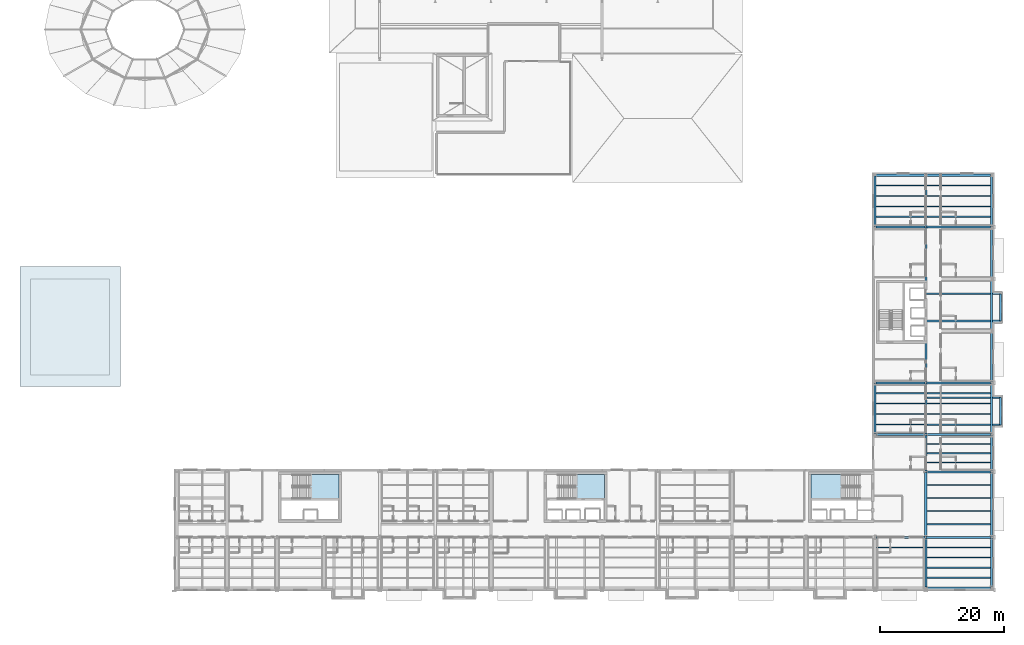
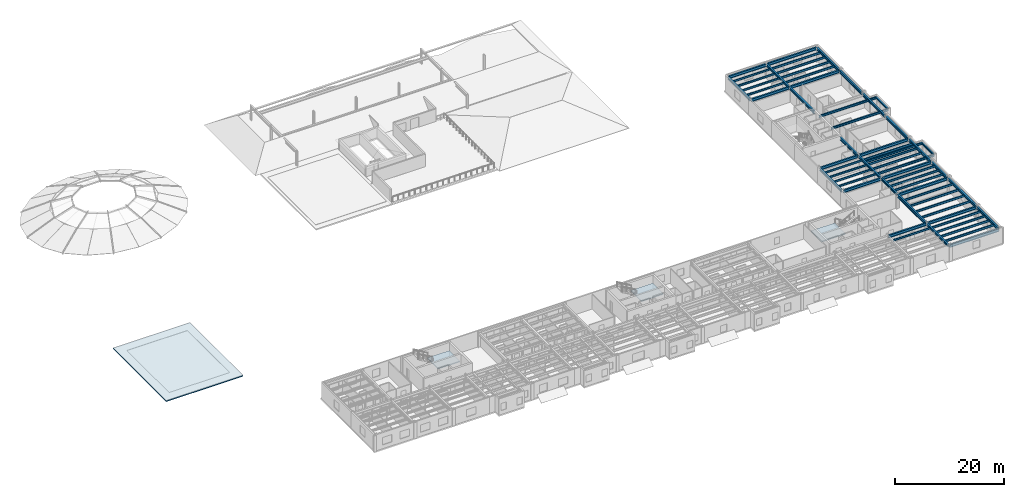
# One storey, part 9 of 34: 62 beams, 4 slabs, 3 elements without a shape of their own.
"""IFC4 building model written with IfcOpenShell, lengths in metres."""

import ifcopenshell
import ifcopenshell.guid

model = None  # the IFC model being written
_history = None  # IfcOwnerHistory: only IFC2X3 demands one
_inside = {}  # id of a spatial element -> (the spatial element, [elements in it])
_under = {}  # id of a project, library or spatial element -> (it, [spatial elements below it])
_declared = {}  # id of a project -> (the project, [libraries it declares])
_typed = {}  # id of a type object -> (the type object, [elements of that type])
_made_of = {}  # id of a material, layer set ... -> (it, [elements and type objects made of it])


def new_model(schema):
    """Start an empty IFC model of exactly this schema.

    Asked for "IFC4X3", IfcOpenShell would pick the latest addendum, in which some entities
    have other attributes; the version numbers below select the first issue.
    IFC2X3 requires an IfcOwnerHistory on every rooted entity: one is made here for all.
    """
    global model, _history
    if schema == "IFC4X3":
        model = ifcopenshell.file(schema_version=(4, 3, 0, 0))
    else:
        model = ifcopenshell.file(schema=schema)
    _inside.clear()
    _under.clear()
    _declared.clear()
    _typed.clear()
    _made_of.clear()
    _history = None
    if model.schema == "IFC2X3":
        org = make("IfcOrganization", Name="unknown")
        user = make(
            "IfcPersonAndOrganization",
            ThePerson=make("IfcPerson", FamilyName="unknown"),
            TheOrganization=org,
        )
        app = make(
            "IfcApplication",
            ApplicationDeveloper=org,
            Version="unknown",
            ApplicationFullName="unknown",
            ApplicationIdentifier="unknown",
        )
        _history = make(
            "IfcOwnerHistory",
            OwningUser=user,
            OwningApplication=app,
            ChangeAction="ADDED",
            CreationDate=0,
        )
    return model


def make(cls, **values):
    """One entity of the class cls with the attributes given. An attribute that is None is left unset."""
    return model.create_entity(
        cls, **{name: value for name, value in values.items() if value is not None}
    )


def rooted(cls, **values):
    """An entity with a GlobalId (a new one), such as an element, a storey or a relation."""
    return make(cls, GlobalId=ifcopenshell.guid.new(), OwnerHistory=_history, **values)


def si_unit(unit_type, name, prefix=None):
    """IfcSIUnit, for example si_unit("LENGTHUNIT", "METRE", prefix="MILLI")."""
    return make("IfcSIUnit", UnitType=unit_type, Prefix=prefix, Name=name)


def assignment(units):
    """IfcUnitAssignment: the units of a project."""
    return None if units is None else make("IfcUnitAssignment", Units=units)


def point(xyz):
    """IfcCartesianPoint."""
    return None if xyz is None else make("IfcCartesianPoint", Coordinates=xyz)


def direction(xyz):
    """IfcDirection."""
    return None if xyz is None else make("IfcDirection", DirectionRatios=xyz)


def frame(location, z_axis=None, x_axis=None):
    """IfcAxis2Placement3D, a coordinate frame: its origin and axes. An axis left out is left unset."""
    return make(
        "IfcAxis2Placement3D",
        Location=point(location),
        Axis=direction(z_axis),
        RefDirection=direction(x_axis),
    )


def frame_2d(location, x_axis=None):
    """IfcAxis2Placement2D, a coordinate frame in the plane: its origin and x axis."""
    return make(
        "IfcAxis2Placement2D", Location=point(location), RefDirection=direction(x_axis)
    )


def origin():
    """The frame at (0, 0, 0) with its axes left unset."""
    return frame((0.0, 0.0, 0.0))


def origin_2d():
    """The frame at (0, 0) in the plane with its x axis left unset."""
    return frame_2d((0.0, 0.0))


def place(relative_to, where):
    """IfcLocalPlacement: puts the frame where relative to a parent placement (None: the world)."""
    return make(
        "IfcLocalPlacement", PlacementRelTo=relative_to, RelativePlacement=where
    )


def context(
    kind, dimensions, precision=None, world=None, true_north=None, identifier=None
):
    """IfcGeometricRepresentationContext, for example the 3D "Model" context."""
    return make(
        "IfcGeometricRepresentationContext",
        ContextIdentifier=identifier,
        ContextType=kind,
        CoordinateSpaceDimension=dimensions,
        Precision=precision,
        WorldCoordinateSystem=world,
        TrueNorth=true_north,
    )


def subcontext(parent, identifier, kind, view, scale=None):
    """IfcGeometricRepresentationSubContext, for example "Body" below "Model"."""
    return make(
        "IfcGeometricRepresentationSubContext",
        ContextIdentifier=identifier,
        ContextType=kind,
        ParentContext=parent,
        TargetScale=scale,
        TargetView=view,
    )


def project(units=None, contexts=None):
    """IfcProject with its units and contexts."""
    return rooted(
        "IfcProject",
        Name="project",
        RepresentationContexts=contexts,
        UnitsInContext=assignment(units),
    )


def spatial(cls, under=None, at=None, **own):
    """A site, building, storey or space (cls), placed at a placement, below another one or the project."""
    s = rooted(cls, ObjectPlacement=at, **own)
    if under is not None:
        _under.setdefault(under.id(), (under, []))[1].append(s)
    return s


def polyline(points):
    """IfcPolyline through the points."""
    return make("IfcPolyline", Points=[point(p) for p in points])


def profile(cls, at=None, kind="AREA", **sizes):
    """A parametric profile (cls). Its sizes go by their IFC names, for example OverallWidth=200.0."""
    return make(cls, ProfileType=kind, Position=at, **sizes)


def i_section(**sizes):
    """IfcIShapeProfileDef."""
    return profile("IfcIShapeProfileDef", **sizes)


def outline(outer, holes=None, kind="AREA"):
    """IfcArbitraryClosedProfileDef: a profile drawn as a closed curve; with holes, ...WithVoids."""
    if holes is None:
        return make("IfcArbitraryClosedProfileDef", ProfileType=kind, OuterCurve=outer)
    return make(
        "IfcArbitraryProfileDefWithVoids",
        ProfileType=kind,
        OuterCurve=outer,
        InnerCurves=holes,
    )


def extrude(swept, where, along, depth):
    """IfcExtrudedAreaSolid: the profile swept, set in the frame where, extruded along a direction by depth."""
    return make(
        "IfcExtrudedAreaSolid",
        SweptArea=swept,
        Position=where,
        ExtrudedDirection=direction(along),
        Depth=depth,
    )


def shape(context_of_items, identifier, shape_type, items):
    """IfcShapeRepresentation: the items that make up one representation, for example the "Body"."""
    return make(
        "IfcShapeRepresentation",
        ContextOfItems=context_of_items,
        RepresentationIdentifier=identifier,
        RepresentationType=shape_type,
        Items=items,
    )


def material(Name=None, Category=None):
    """IfcMaterial."""
    return make("IfcMaterial", Name=Name, Category=Category)


def layer(
    of_material, thickness, ventilated=None, Name=None, Category=None, Priority=None
):
    """IfcMaterialLayer: one layer of a wall or slab, of a material (None: an air gap)."""
    return make(
        "IfcMaterialLayer",
        Material=of_material,
        LayerThickness=thickness,
        IsVentilated=ventilated,
        Name=Name,
        Category=Category,
        Priority=Priority,
    )


def layer_set(layers, Name=None):
    """IfcMaterialLayerSet."""
    return make("IfcMaterialLayerSet", MaterialLayers=layers, LayerSetName=Name)


def material_profile(
    of_material, cross_section, Name=None, Category=None, Priority=None
):
    """IfcMaterialProfile: a cross section and its material."""
    return make(
        "IfcMaterialProfile",
        Name=Name,
        Material=of_material,
        Profile=cross_section,
        Priority=Priority,
        Category=Category,
    )


def profile_set(profiles, Name=None, composite=None):
    """IfcMaterialProfileSet."""
    return make(
        "IfcMaterialProfileSet",
        Name=Name,
        MaterialProfiles=profiles,
        CompositeProfile=composite,
    )


def made_of(thing, what):
    """Note that an element or type object is made of a material, layer set ...; save() writes the relation."""
    if what is not None:
        _made_of.setdefault(what.id(), (what, []))[1].append(thing)
    return thing


def type_object(cls, material=None, **own):
    """A type object (cls), such as IfcWallType, which elements share."""
    return made_of(rooted(cls, **own), material)


def element(
    cls,
    number,
    at=None,
    inside=None,
    cuts=None,
    type_object=None,
    material=None,
    context=None,
    identifier="Body",
    shape_type=None,
    held_by="IfcProductDefinitionShape",
    body=None,
    shapes=None,
    **own,
):
    """One element of the class cls, such as IfcWall. Its Tag is "e" and its number.

    at: its placement. inside: the storey or other place that contains it. cuts: it is an
    opening in that element (IfcRelVoidsElement). A single representation is given by context,
    identifier, shape_type and body (its items); several are given by shapes. held_by: the class
    of the entity that holds the representations. save() writes the other relations.
    """
    e = rooted(cls, Tag="e%d" % number, ObjectPlacement=at, **own)
    if body is not None:
        shapes = [shape(context, identifier, shape_type, body)]
    if shapes is not None:
        e.Representation = make(held_by, Representations=shapes)
    if inside is not None:
        _inside.setdefault(inside.id(), (inside, []))[1].append(e)
    if cuts is not None:
        rooted(
            "IfcRelVoidsElement", RelatingBuildingElement=cuts, RelatedOpeningElement=e
        )
    if type_object is not None:
        _typed.setdefault(type_object.id(), (type_object, []))[1].append(e)
    return made_of(e, material)


def aggregate(whole, parts):
    """IfcRelAggregates: a whole, such as a stair, and the parts it consists of."""
    return rooted("IfcRelAggregates", RelatingObject=whole, RelatedObjects=parts)


def save(model, path):
    """Write the relations noted so far, then the file.

    IfcRelAggregates (storeys below a building ...), IfcRelContainedInSpatialStructure (elements
    in a storey), IfcRelDefinesByType, IfcRelAssociatesMaterial and IfcRelDeclares: one each for
    every whole, place, type object, material and project.
    """
    for whole, parts in _under.values():
        aggregate(whole, parts)
    for where, things in _inside.values():
        rooted(
            "IfcRelContainedInSpatialStructure",
            RelatedElements=things,
            RelatingStructure=where,
        )
    for kind, things in _typed.values():
        rooted("IfcRelDefinesByType", RelatedObjects=things, RelatingType=kind)
    for what, things in _made_of.values():
        rooted("IfcRelAssociatesMaterial", RelatedObjects=things, RelatingMaterial=what)
    for by, libraries in _declared.values():
        rooted("IfcRelDeclares", RelatingContext=by, RelatedDefinitions=libraries)
    model.write(path)


model = new_model("IFC4")

# Units and contexts
model_context = context("Model", 3, precision=1e-05, world=origin(), true_north=direction((0.0, 1.0)))
body_context = subcontext(model_context, "Body", "Model", "MODEL_VIEW")
ifc_project = project(units=[si_unit("LENGTHUNIT", "METRE"), si_unit("AREAUNIT", "SQUARE_METRE"), si_unit("VOLUMEUNIT", "CUBIC_METRE"), si_unit("PLANEANGLEUNIT", "RADIAN"), si_unit("MASSUNIT", "GRAM", prefix="KILO")], contexts=[model_context])

# Site, building, storey
site_placement = place(None, origin())
site = spatial("IfcSite", under=ifc_project, at=site_placement, CompositionType="ELEMENT")
building_placement = place(site_placement, origin())
building = spatial("IfcBuilding", under=site, at=building_placement, Name="Sollismere Congress Hotel", CompositionType="ELEMENT")
storey_placement = place(building_placement, frame((0.0, 0.0, 23.39990234375)))
storey = spatial("IfcBuildingStorey", under=building, at=storey_placement, Name="L05", CompositionType="ELEMENT", Elevation=23.39990234375)

# Beams
ifc_material_1 = material(Name="Steel ASTM A992 Grade 50", Category="steel")
ifc_material_profile_1 = material_profile(ifc_material_1, i_section(OverallWidth=0.281982421875, OverallDepth=0.471923828125, WebThickness=0.013671875, FlangeThickness=0.022216796875, at=origin_2d()), Name="W18X97")
ifc_profile_set_1 = profile_set([ifc_material_profile_1], Name="Steel ASTM A992 Grade 50")
beam_type_1 = type_object("IfcBeamType", Name="BM-CK18E", PredefinedType="BEAM", material=ifc_profile_set_1)
for number, where, z_axis, x_axis, name in (
    (1, (155.39990234375, 26.39990234375, 3.089111328125), (1.0, 0.0, 0.0), (0.0, 1.0, 0.0), "Beam BM-L05-3964"),
    (2, (155.39990234375, 30.800048828125, 3.089111328125), (1.0, 0.0, 0.0), (0.0, 1.0, 0.0), "Beam BM-L05-3965"),
    (3, (155.39990234375, 43.199951171875, 3.089111328125), (1.0, 0.0, 0.0), (0.0, 1.0, 0.0), "Beam BM-L05-3967"),
    (4, (155.39990234375, 47.60009765625, 3.089111328125), (1.0, 0.0, 0.0), (0.0, 1.0, 0.0), "Beam BM-L05-3968"),
):
    element("IfcBeam", number, at=place(storey_placement, frame(where, z_axis=z_axis, x_axis=x_axis)), inside=storey, type_object=beam_type_1, Name=name, PredefinedType="BEAM", context=body_context, shape_type="SweptSolid", body=[
        extrude(i_section(OverallWidth=0.281982421875, OverallDepth=0.471923828125, WebThickness=0.013671875, FlangeThickness=0.022216796875, at=origin_2d()), origin(), (0.0, 0.0, 1.0), 12.090087890625),
    ])
ifc_material_profile_2 = material_profile(ifc_material_1, i_section(OverallWidth=0.31494140625, OverallDepth=0.551025390625, WebThickness=0.01513671875, FlangeThickness=0.0244140625, at=origin_2d()), Name="W21X122")
ifc_profile_set_2 = profile_set([ifc_material_profile_2], Name="Steel ASTM A992 Grade 50")
beam_type_2 = type_object("IfcBeamType", Name="BM-G21H", PredefinedType="BEAM", material=ifc_profile_set_2)
beam_1_placement = place(storey_placement, frame((147.199951171875, 24.93994140625, 3.049560546875), z_axis=(0.0, 1.0, 0.0), x_axis=(-1.0, 0.0, 0.0)))
element("IfcBeam", 5, at=beam_1_placement, inside=storey, type_object=beam_type_2, Name="Beam BM-L05-2994", PredefinedType="BEAM", context=body_context, shape_type="SweptSolid", body=[
    extrude(i_section(OverallWidth=0.31494140625, OverallDepth=0.551025390625, WebThickness=0.01513671875, FlangeThickness=0.0244140625, at=origin_2d()), origin(), (0.0, 0.0, 1.0), 8.1201171875),
])
beam_2_placement = place(storey_placement, frame((147.199951171875, 58.5400390625, 3.049560546875), z_axis=(0.0, 1.0, 0.0), x_axis=(-1.0, 0.0, 0.0)))
element("IfcBeam", 6, at=beam_2_placement, inside=storey, type_object=beam_type_2, Name="Beam BM-L05-2995", PredefinedType="BEAM", context=body_context, shape_type="SweptSolid", body=[
    extrude(i_section(OverallWidth=0.31494140625, OverallDepth=0.551025390625, WebThickness=0.01513671875, FlangeThickness=0.0244140625, at=origin_2d()), origin(), (0.0, 0.0, 1.0), 8.119873046875),
])
beam_3_placement = place(storey_placement, frame((155.39990234375, 0.139892578125, 3.049560546875), z_axis=(0.0, 1.0, 0.0), x_axis=(-1.0, 0.0, 0.0)))
element("IfcBeam", 7, at=beam_3_placement, inside=storey, type_object=beam_type_2, Name="Beam BM-L05-2996", PredefinedType="BEAM", context=body_context, shape_type="SweptSolid", body=[
    extrude(i_section(OverallWidth=0.31494140625, OverallDepth=0.551025390625, WebThickness=0.01513671875, FlangeThickness=0.0244140625, at=origin_2d()), origin(), (0.0, 0.0, 1.0), 7.920166015625),
])
beam_4_placement = place(storey_placement, frame((155.39990234375, 18.93994140625, 3.049560546875), z_axis=(0.0, 1.0, 0.0), x_axis=(-1.0, 0.0, 0.0)))
element("IfcBeam", 8, at=beam_4_placement, inside=storey, type_object=beam_type_2, Name="Beam BM-L05-2998", PredefinedType="BEAM", context=body_context, shape_type="SweptSolid", body=[
    extrude(i_section(OverallWidth=0.31494140625, OverallDepth=0.551025390625, WebThickness=0.01513671875, FlangeThickness=0.0244140625, at=origin_2d()), origin(), (0.0, 0.0, 1.0), 5.719970703125),
])
beam_5_placement = place(storey_placement, frame((155.39990234375, 24.93994140625, 3.049560546875), z_axis=(0.0, 1.0, 0.0), x_axis=(-1.0, 0.0, 0.0)))
element("IfcBeam", 9, at=beam_5_placement, inside=storey, type_object=beam_type_2, Name="Beam BM-L05-2999", PredefinedType="BEAM", context=body_context, shape_type="SweptSolid", body=[
    extrude(i_section(OverallWidth=0.31494140625, OverallDepth=0.551025390625, WebThickness=0.01513671875, FlangeThickness=0.0244140625, at=origin_2d()), origin(), (0.0, 0.0, 1.0), 8.1201171875),
])
beam_6_placement = place(storey_placement, frame((155.39990234375, 58.5400390625, 3.049560546875), z_axis=(0.0, 1.0, 0.0), x_axis=(-1.0, 0.0, 0.0)))
element("IfcBeam", 10, at=beam_6_placement, inside=storey, type_object=beam_type_2, Name="Beam BM-L05-3000", PredefinedType="BEAM", context=body_context, shape_type="SweptSolid", body=[
    extrude(i_section(OverallWidth=0.31494140625, OverallDepth=0.551025390625, WebThickness=0.01513671875, FlangeThickness=0.0244140625, at=origin_2d()), origin(), (0.0, 0.0, 1.0), 8.119873046875),
])
ifc_material_profile_3 = material_profile(ifc_material_1, i_section(OverallWidth=0.324951171875, OverallDepth=0.612060546875, WebThickness=0.0126953125, FlangeThickness=0.01904296875, at=origin_2d()), Name="W24X104")
ifc_profile_set_3 = profile_set([ifc_material_profile_3], Name="Steel ASTM A992 Grade 50")
beam_type_3 = type_object("IfcBeamType", Name="BM-G24", PredefinedType="BEAM", material=ifc_profile_set_3)
beam_7_placement = place(storey_placement, frame((147.340087890625, 8.199951171875, 3.01904296875), z_axis=(1.0, 0.0, 0.0), x_axis=(0.0, 1.0, 0.0)))
element("IfcBeam", 11, at=beam_7_placement, inside=storey, type_object=beam_type_3, Name="Beam BM-L05-2959", PredefinedType="BEAM", context=body_context, shape_type="SweptSolid", body=[
    extrude(i_section(OverallWidth=0.324951171875, OverallDepth=0.612060546875, WebThickness=0.0126953125, FlangeThickness=0.01904296875, at=origin_2d()), origin(), (0.0, 0.0, 1.0), 7.919921875),
])
for number, where, z_axis, x_axis, name in (
    (12, (155.5400390625, 8.199951171875, 3.01904296875), (1.0, 0.0, 0.0), (0.0, 1.0, 0.0), "Beam BM-L05-2960"),
    (13, (155.5400390625, 18.800048828125, 3.01904296875), (1.0, 0.0, 0.0), (0.0, 1.0, 0.0), "Beam BM-L05-2965"),
):
    element("IfcBeam", number, at=place(storey_placement, frame(where, z_axis=z_axis, x_axis=x_axis)), inside=storey, type_object=beam_type_3, Name=name, PredefinedType="BEAM", context=body_context, shape_type="SweptSolid", body=[
        extrude(i_section(OverallWidth=0.324951171875, OverallDepth=0.612060546875, WebThickness=0.0126953125, FlangeThickness=0.01904296875, at=origin_2d()), origin(), (0.0, 0.0, 1.0), 10.320068359375),
    ])
beam_8_placement = place(storey_placement, frame((147.340087890625, 24.800048828125, 3.01904296875), z_axis=(1.0, 0.0, 0.0), x_axis=(0.0, 1.0, 0.0)))
element("IfcBeam", 14, at=beam_8_placement, inside=storey, type_object=beam_type_3, Name="Beam BM-L05-2966", PredefinedType="BEAM", context=body_context, shape_type="SweptSolid", body=[
    extrude(i_section(OverallWidth=0.324951171875, OverallDepth=0.612060546875, WebThickness=0.0126953125, FlangeThickness=0.01904296875, at=origin_2d()), origin(), (0.0, 0.0, 1.0), 7.919921875),
])
beam_9_placement = place(storey_placement, frame((155.5400390625, 24.800048828125, 3.01904296875), z_axis=(1.0, 0.0, 0.0), x_axis=(0.0, 1.0, 0.0)))
element("IfcBeam", 15, at=beam_9_placement, inside=storey, type_object=beam_type_3, Name="Beam BM-L05-2967", PredefinedType="BEAM", context=body_context, shape_type="SweptSolid", body=[
    extrude(i_section(OverallWidth=0.324951171875, OverallDepth=0.612060546875, WebThickness=0.0126953125, FlangeThickness=0.01904296875, at=origin_2d()), origin(), (0.0, 0.0, 1.0), 10.320068359375),
])
beam_10_placement = place(storey_placement, frame((147.340087890625, 33.199951171875, 3.01904296875), z_axis=(1.0, 0.0, 0.0), x_axis=(0.0, 1.0, 0.0)))
element("IfcBeam", 16, at=beam_10_placement, inside=storey, type_object=beam_type_3, Name="Beam BM-L05-2968", PredefinedType="BEAM", context=body_context, shape_type="SweptSolid", body=[
    extrude(i_section(OverallWidth=0.324951171875, OverallDepth=0.612060546875, WebThickness=0.0126953125, FlangeThickness=0.01904296875, at=origin_2d()), origin(), (0.0, 0.0, 1.0), 7.919921875),
])
beam_11_placement = place(storey_placement, frame((155.5400390625, 33.199951171875, 3.01904296875), z_axis=(1.0, 0.0, 0.0), x_axis=(0.0, 1.0, 0.0)))
element("IfcBeam", 17, at=beam_11_placement, inside=storey, type_object=beam_type_3, Name="Beam BM-L05-2969", PredefinedType="BEAM", context=body_context, shape_type="SweptSolid", body=[
    extrude(i_section(OverallWidth=0.324951171875, OverallDepth=0.612060546875, WebThickness=0.0126953125, FlangeThickness=0.01904296875, at=origin_2d()), origin(), (0.0, 0.0, 1.0), 10.320068359375),
])
beam_12_placement = place(storey_placement, frame((147.3310546875, 58.39990234375, 3.01904296875), z_axis=(1.0, 0.0, 0.0), x_axis=(0.0, 1.0, 0.0)))
element("IfcBeam", 18, at=beam_12_placement, inside=storey, type_object=beam_type_3, Name="Beam BM-L05-2970", PredefinedType="BEAM", context=body_context, shape_type="SweptSolid", body=[
    extrude(i_section(OverallWidth=0.324951171875, OverallDepth=0.612060546875, WebThickness=0.0126953125, FlangeThickness=0.01904296875, at=origin_2d()), origin(), (0.0, 0.0, 1.0), 7.93798828125),
])
beam_13_placement = place(storey_placement, frame((155.531005859375, 58.39990234375, 3.01904296875), z_axis=(1.0, 0.0, 0.0), x_axis=(0.0, 1.0, 0.0)))
element("IfcBeam", 19, at=beam_13_placement, inside=storey, type_object=beam_type_3, Name="Beam BM-L05-2971", PredefinedType="BEAM", context=body_context, shape_type="SweptSolid", body=[
    extrude(i_section(OverallWidth=0.324951171875, OverallDepth=0.612060546875, WebThickness=0.0126953125, FlangeThickness=0.01904296875, at=origin_2d()), origin(), (0.0, 0.0, 1.0), 10.337890625),
])
beam_14_placement = place(storey_placement, frame((147.3310546875, 66.800048828125, 3.01904296875), z_axis=(1.0, 0.0, 0.0), x_axis=(0.0, 1.0, 0.0)))
element("IfcBeam", 20, at=beam_14_placement, inside=storey, type_object=beam_type_3, Name="Beam BM-L05-2972", PredefinedType="BEAM", context=body_context, shape_type="SweptSolid", body=[
    extrude(i_section(OverallWidth=0.324951171875, OverallDepth=0.612060546875, WebThickness=0.0126953125, FlangeThickness=0.01904296875, at=origin_2d()), origin(), (0.0, 0.0, 1.0), 7.93798828125),
])
beam_15_placement = place(storey_placement, frame((155.531005859375, 66.800048828125, 3.01904296875), z_axis=(1.0, 0.0, 0.0), x_axis=(0.0, 1.0, 0.0)))
element("IfcBeam", 21, at=beam_15_placement, inside=storey, type_object=beam_type_3, Name="Beam BM-L05-2973", PredefinedType="BEAM", context=body_context, shape_type="SweptSolid", body=[
    extrude(i_section(OverallWidth=0.324951171875, OverallDepth=0.612060546875, WebThickness=0.0126953125, FlangeThickness=0.01904296875, at=origin_2d()), origin(), (0.0, 0.0, 1.0), 10.337890625),
])
ifc_material_profile_4 = material_profile(ifc_material_1, i_section(OverallWidth=0.330078125, OverallDepth=0.635009765625, WebThickness=0.017822265625, FlangeThickness=0.031005859375, at=origin_2d()), Name="W24X162")
ifc_profile_set_4 = profile_set([ifc_material_profile_4], Name="Steel ASTM A992 Grade 50")
beam_type_4 = type_object("IfcBeamType", Name="BM-G24H", PredefinedType="BEAM", material=ifc_profile_set_4)
beam_16_placement = place(storey_placement, frame((155.39990234375, 33.320068359375, 3.007568359375), z_axis=(0.0, 1.0, 0.0), x_axis=(-1.0, 0.0, 0.0)))
element("IfcBeam", 22, at=beam_16_placement, inside=storey, type_object=beam_type_4, Name="Beam BM-L05-3947", PredefinedType="BEAM", context=body_context, shape_type="SweptSolid", body=[
    extrude(i_section(OverallWidth=0.330078125, OverallDepth=0.635009765625, WebThickness=0.017822265625, FlangeThickness=0.031005859375, at=origin_2d()), origin(), (0.0, 0.0, 1.0), 6.530029296875),
])
beam_17_placement = place(storey_placement, frame((155.39990234375, 49.25, 3.007568359375), z_axis=(0.0, 1.0, 0.0), x_axis=(-1.0, 0.0, 0.0)))
element("IfcBeam", 23, at=beam_17_placement, inside=storey, type_object=beam_type_4, Name="Beam BM-L05-3948", PredefinedType="BEAM", context=body_context, shape_type="SweptSolid", body=[
    extrude(i_section(OverallWidth=0.330078125, OverallDepth=0.635009765625, WebThickness=0.017822265625, FlangeThickness=0.031005859375, at=origin_2d()), origin(), (0.0, 0.0, 1.0), 9.14990234375),
])
ifc_material_profile_5 = material_profile(ifc_material_1, i_section(OverallWidth=0.35595703125, OverallDepth=0.696044921875, WebThickness=0.015380859375, FlangeThickness=0.025146484375, at=origin_2d()), Name="W27X146")
ifc_profile_set_5 = profile_set([ifc_material_profile_5], Name="Steel ASTM A992 Grade 50")
beam_type_5 = type_object("IfcBeamType", Name="BM-G27", PredefinedType="BEAM", material=ifc_profile_set_5)
beam_18_placement = place(storey_placement, frame((155.39990234375, 8.340087890625, 2.97705078125), z_axis=(0.0, 1.0, 0.0), x_axis=(-1.0, 0.0, 0.0)))
element("IfcBeam", 24, at=beam_18_placement, inside=storey, type_object=beam_type_5, Name="Beam BM-L05-2997", PredefinedType="BEAM", context=body_context, shape_type="SweptSolid", body=[
    extrude(i_section(OverallWidth=0.35595703125, OverallDepth=0.696044921875, WebThickness=0.015380859375, FlangeThickness=0.025146484375, at=origin_2d()), origin(), (0.0, 0.0, 1.0), 10.31982421875),
])
ifc_material_profile_6 = material_profile(ifc_material_1, i_section(OverallWidth=0.180908203125, OverallDepth=0.4169921875, WebThickness=0.010986328125, FlangeThickness=0.018310546875, at=origin_2d()), Name="W16X57")
ifc_profile_set_6 = profile_set([ifc_material_profile_6], Name="Steel ASTM A992 Grade 50")
beam_type_6 = type_object("IfcBeamType", Name="BM-J16", PredefinedType="JOIST", material=ifc_profile_set_6)
for number, where, z_axis, x_axis, name in (
    (25, (147.357421875, 6.56005859375, 3.11669921875), (1.0, 0.0, 0.0), (0.0, 1.0, 0.0), "Beam BM-L05-3076"),
    (26, (147.357421875, 26.47998046875, 3.11669921875), (1.0, 0.0, 0.0), (0.0, 1.0, 0.0), "Beam BM-L05-3077"),
    (27, (147.357421875, 28.159912109375, 3.11669921875), (1.0, 0.0, 0.0), (0.0, 1.0, 0.0), "Beam BM-L05-3078"),
    (28, (147.357421875, 29.840087890625, 3.11669921875), (1.0, 0.0, 0.0), (0.0, 1.0, 0.0), "Beam BM-L05-3079"),
    (29, (147.357421875, 31.52001953125, 3.11669921875), (1.0, 0.0, 0.0), (0.0, 1.0, 0.0), "Beam BM-L05-3080"),
    (30, (147.357421875, 60.080078125, 3.11669921875), (1.0, 0.0, 0.0), (0.0, 1.0, 0.0), "Beam BM-L05-3081"),
    (31, (147.357421875, 61.760009765625, 3.11669921875), (1.0, 0.0, 0.0), (0.0, 1.0, 0.0), "Beam BM-L05-3082"),
    (32, (147.357421875, 63.43994140625, 3.11669921875), (1.0, 0.0, 0.0), (0.0, 1.0, 0.0), "Beam BM-L05-3083"),
    (33, (147.357421875, 65.1201171875, 3.11669921875), (1.0, 0.0, 0.0), (0.0, 1.0, 0.0), "Beam BM-L05-3084"),
):
    element("IfcBeam", number, at=place(storey_placement, frame(where, z_axis=z_axis, x_axis=x_axis)), inside=storey, type_object=beam_type_6, Name=name, PredefinedType="JOIST", context=body_context, shape_type="SweptSolid", body=[
        extrude(i_section(OverallWidth=0.180908203125, OverallDepth=0.4169921875, WebThickness=0.010986328125, FlangeThickness=0.018310546875, at=origin_2d()), origin(), (0.0, 0.0, 1.0), 7.885009765625),
    ])
ifc_material_profile_7 = material_profile(ifc_material_1, i_section(OverallWidth=0.193115234375, OverallDepth=0.467041015625, WebThickness=0.011474609375, FlangeThickness=0.01904296875, at=origin_2d()), Name="W18X65")
ifc_profile_set_7 = profile_set([ifc_material_profile_7], Name="Steel ASTM A992 Grade 50")
beam_type_7 = type_object("IfcBeamType", Name="BM-J18", PredefinedType="JOIST", material=ifc_profile_set_7)
for number, where, z_axis, x_axis, name in (
    (34, (155.5576171875, 1.639892578125, 3.091552734375), (1.0, 0.0, 0.0), (0.0, 1.0, 0.0), "Beam BM-L05-3085"),
    (35, (155.5576171875, 3.280029296875, 3.091552734375), (1.0, 0.0, 0.0), (0.0, 1.0, 0.0), "Beam BM-L05-3086"),
    (36, (155.5576171875, 4.919921875, 3.091552734375), (1.0, 0.0, 0.0), (0.0, 1.0, 0.0), "Beam BM-L05-3087"),
    (37, (155.5576171875, 6.56005859375, 3.091552734375), (1.0, 0.0, 0.0), (0.0, 1.0, 0.0), "Beam BM-L05-3088"),
):
    element("IfcBeam", number, at=place(storey_placement, frame(where, z_axis=z_axis, x_axis=x_axis)), inside=storey, type_object=beam_type_7, Name=name, PredefinedType="JOIST", context=body_context, shape_type="SweptSolid", body=[
        extrude(i_section(OverallWidth=0.193115234375, OverallDepth=0.467041015625, WebThickness=0.011474609375, FlangeThickness=0.01904296875, at=origin_2d()), origin(), (0.0, 0.0, 1.0), 10.27734375),
    ])
for number, where, z_axis, x_axis, name in (
    (38, (155.577880859375, 10.320068359375, 3.091552734375), (1.0, 0.0, 0.0), (0.0, 1.0, 0.0), "Beam BM-L05-3089"),
    (39, (155.577880859375, 12.43994140625, 3.091552734375), (1.0, 0.0, 0.0), (0.0, 1.0, 0.0), "Beam BM-L05-3090"),
    (40, (155.577880859375, 14.56005859375, 3.091552734375), (1.0, 0.0, 0.0), (0.0, 1.0, 0.0), "Beam BM-L05-3091"),
    (41, (155.577880859375, 16.679931640625, 3.091552734375), (1.0, 0.0, 0.0), (0.0, 1.0, 0.0), "Beam BM-L05-3092"),
):
    element("IfcBeam", number, at=place(storey_placement, frame(where, z_axis=z_axis, x_axis=x_axis)), inside=storey, type_object=beam_type_7, Name=name, PredefinedType="JOIST", context=body_context, shape_type="SweptSolid", body=[
        extrude(i_section(OverallWidth=0.193115234375, OverallDepth=0.467041015625, WebThickness=0.011474609375, FlangeThickness=0.01904296875, at=origin_2d()), origin(), (0.0, 0.0, 1.0), 10.257080078125),
    ])
for number, where, z_axis, x_axis, name in (
    (42, (155.5576171875, 20.300048828125, 3.091552734375), (1.0, 0.0, 0.0), (0.0, 1.0, 0.0), "Beam BM-L05-3093"),
    (43, (155.5576171875, 21.800048828125, 3.091552734375), (1.0, 0.0, 0.0), (0.0, 1.0, 0.0), "Beam BM-L05-3094"),
    (44, (155.5576171875, 23.300048828125, 3.091552734375), (1.0, 0.0, 0.0), (0.0, 1.0, 0.0), "Beam BM-L05-3095"),
    (45, (155.5576171875, 28.159912109375, 3.091552734375), (1.0, 0.0, 0.0), (0.0, 1.0, 0.0), "Beam BM-L05-3096"),
    (46, (155.5576171875, 29.840087890625, 3.091552734375), (1.0, 0.0, 0.0), (0.0, 1.0, 0.0), "Beam BM-L05-3097"),
    (47, (155.5576171875, 31.52001953125, 3.091552734375), (1.0, 0.0, 0.0), (0.0, 1.0, 0.0), "Beam BM-L05-3098"),
    (48, (155.5576171875, 60.080078125, 3.091552734375), (1.0, 0.0, 0.0), (0.0, 1.0, 0.0), "Beam BM-L05-3099"),
    (49, (155.5576171875, 61.760009765625, 3.091552734375), (1.0, 0.0, 0.0), (0.0, 1.0, 0.0), "Beam BM-L05-3100"),
    (50, (155.5576171875, 63.43994140625, 3.091552734375), (1.0, 0.0, 0.0), (0.0, 1.0, 0.0), "Beam BM-L05-3101"),
    (51, (155.5576171875, 65.1201171875, 3.091552734375), (1.0, 0.0, 0.0), (0.0, 1.0, 0.0), "Beam BM-L05-3102"),
):
    element("IfcBeam", number, at=place(storey_placement, frame(where, z_axis=z_axis, x_axis=x_axis)), inside=storey, type_object=beam_type_7, Name=name, PredefinedType="JOIST", context=body_context, shape_type="SweptSolid", body=[
        extrude(i_section(OverallWidth=0.193115234375, OverallDepth=0.467041015625, WebThickness=0.011474609375, FlangeThickness=0.01904296875, at=origin_2d()), origin(), (0.0, 0.0, 1.0), 10.27734375),
    ])
ifc_material_profile_8 = material_profile(ifc_material_1, i_section(OverallWidth=0.261962890625, OverallDepth=0.4189453125, WebThickness=0.01171875, FlangeThickness=0.019287109375, at=origin_2d()), Name="W16X77")
ifc_profile_set_8 = profile_set([ifc_material_profile_8], Name="Steel ASTM A992 Grade 50")
beam_type_8 = type_object("IfcBeamType", Name="BM-LN16E", PredefinedType="LINTEL", material=ifc_profile_set_8)
for number, where, z_axis, x_axis, name in (
    (52, (167.489990234375, 26.39990234375, 3.115478515625), (0.0, 1.0, 0.0), (-1.0, 0.0, 0.0), "Beam BM-L05-3966"),
    (53, (167.489990234375, 43.199951171875, 3.115478515625), (0.0, 1.0, 0.0), (-1.0, 0.0, 0.0), "Beam BM-L05-3969"),
):
    element("IfcBeam", number, at=place(storey_placement, frame(where, z_axis=z_axis, x_axis=x_axis)), inside=storey, type_object=beam_type_8, Name=name, PredefinedType="LINTEL", context=body_context, shape_type="SweptSolid", body=[
        extrude(i_section(OverallWidth=0.261962890625, OverallDepth=0.4189453125, WebThickness=0.01171875, FlangeThickness=0.019287109375, at=origin_2d()), origin(), (0.0, 0.0, 1.0), 4.400146484375),
    ])
ifc_material_profile_9 = material_profile(ifc_material_1, i_section(OverallWidth=0.330078125, OverallDepth=0.635009765625, WebThickness=0.017822265625, FlangeThickness=0.031005859375, at=origin_2d()), Name="W24X162")
ifc_profile_set_9 = profile_set([ifc_material_profile_9], Name="Steel ASTM A992 Grade 50")
beam_type_9 = type_object("IfcBeamType", Name="BM-SP24E", PredefinedType="SPANDREL", material=ifc_profile_set_9)
beam_19_placement = place(storey_placement, frame((155.5400390625, 0.0, 3.007568359375), z_axis=(1.0, 0.0, 0.0), x_axis=(0.0, 1.0, 0.0)))
element("IfcBeam", 54, at=beam_19_placement, inside=storey, type_object=beam_type_9, Name="Beam BM-L05-2946", PredefinedType="SPANDREL", context=body_context, shape_type="SweptSolid", body=[
    extrude(i_section(OverallWidth=0.330078125, OverallDepth=0.635009765625, WebThickness=0.017822265625, FlangeThickness=0.031005859375, at=origin_2d()), origin(), (0.0, 0.0, 1.0), 10.320068359375),
])
beam_20_placement = place(storey_placement, frame((166.0, 0.139892578125, 3.007568359375), z_axis=(0.0, 1.0, 0.0), x_axis=(-1.0, 0.0, 0.0)))
element("IfcBeam", 55, at=beam_20_placement, inside=storey, type_object=beam_type_9, Name="Beam BM-L05-3001", PredefinedType="SPANDREL", context=body_context, shape_type="SweptSolid", body=[
    extrude(i_section(OverallWidth=0.330078125, OverallDepth=0.635009765625, WebThickness=0.017822265625, FlangeThickness=0.031005859375, at=origin_2d()), origin(), (0.0, 0.0, 1.0), 7.920166015625),
])
beam_21_placement = place(storey_placement, frame((166.0, 8.340087890625, 3.007568359375), z_axis=(0.0, 1.0, 0.0), x_axis=(-1.0, 0.0, 0.0)))
element("IfcBeam", 56, at=beam_21_placement, inside=storey, type_object=beam_type_9, Name="Beam BM-L05-3002", PredefinedType="SPANDREL", context=body_context, shape_type="SweptSolid", body=[
    extrude(i_section(OverallWidth=0.330078125, OverallDepth=0.635009765625, WebThickness=0.017822265625, FlangeThickness=0.031005859375, at=origin_2d()), origin(), (0.0, 0.0, 1.0), 10.31982421875),
])
beam_22_placement = place(storey_placement, frame((166.0, 18.93994140625, 3.007568359375), z_axis=(0.0, 1.0, 0.0), x_axis=(-1.0, 0.0, 0.0)))
element("IfcBeam", 57, at=beam_22_placement, inside=storey, type_object=beam_type_9, Name="Beam BM-L05-3003", PredefinedType="SPANDREL", context=body_context, shape_type="SweptSolid", body=[
    extrude(i_section(OverallWidth=0.330078125, OverallDepth=0.635009765625, WebThickness=0.017822265625, FlangeThickness=0.031005859375, at=origin_2d()), origin(), (0.0, 0.0, 1.0), 5.719970703125),
])
beam_23_placement = place(storey_placement, frame((166.0, 24.93994140625, 3.007568359375), z_axis=(0.0, 1.0, 0.0), x_axis=(-1.0, 0.0, 0.0)))
element("IfcBeam", 58, at=beam_23_placement, inside=storey, type_object=beam_type_9, Name="Beam BM-L05-3004", PredefinedType="SPANDREL", context=body_context, shape_type="SweptSolid", body=[
    extrude(i_section(OverallWidth=0.330078125, OverallDepth=0.635009765625, WebThickness=0.017822265625, FlangeThickness=0.031005859375, at=origin_2d()), origin(), (0.0, 0.0, 1.0), 8.1201171875),
])
beam_24_placement = place(storey_placement, frame((166.0, 33.340087890625, 3.007568359375), z_axis=(0.0, 1.0, 0.0), x_axis=(-1.0, 0.0, 0.0)))
element("IfcBeam", 59, at=beam_24_placement, inside=storey, type_object=beam_type_9, Name="Beam BM-L05-3005", PredefinedType="SPANDREL", context=body_context, shape_type="SweptSolid", body=[
    extrude(i_section(OverallWidth=0.330078125, OverallDepth=0.635009765625, WebThickness=0.017822265625, FlangeThickness=0.031005859375, at=origin_2d()), origin(), (0.0, 0.0, 1.0), 8.119873046875),
])
for number, where, z_axis, x_axis, name in (
    (60, (166.0, 41.739990234375, 3.007568359375), (0.0, 1.0, 0.0), (-1.0, 0.0, 0.0), "Beam BM-L05-3006"),
    (61, (166.0, 50.139892578125, 3.007568359375), (0.0, 1.0, 0.0), (-1.0, 0.0, 0.0), "Beam BM-L05-3007"),
):
    element("IfcBeam", number, at=place(storey_placement, frame(where, z_axis=z_axis, x_axis=x_axis)), inside=storey, type_object=beam_type_9, Name=name, PredefinedType="SPANDREL", context=body_context, shape_type="SweptSolid", body=[
        extrude(i_section(OverallWidth=0.330078125, OverallDepth=0.635009765625, WebThickness=0.017822265625, FlangeThickness=0.031005859375, at=origin_2d()), origin(), (0.0, 0.0, 1.0), 8.1201171875),
    ])
beam_25_placement = place(storey_placement, frame((166.0, 58.5400390625, 3.007568359375), z_axis=(0.0, 1.0, 0.0), x_axis=(-1.0, 0.0, 0.0)))
element("IfcBeam", 62, at=beam_25_placement, inside=storey, type_object=beam_type_9, Name="Beam BM-L05-3008", PredefinedType="SPANDREL", context=body_context, shape_type="SweptSolid", body=[
    extrude(i_section(OverallWidth=0.330078125, OverallDepth=0.635009765625, WebThickness=0.017822265625, FlangeThickness=0.031005859375, at=origin_2d()), origin(), (0.0, 0.0, 1.0), 8.119873046875),
])

# Stair, slab
ifc_material_2 = material(Name="Concrete C40/50", Category="concrete")
stair_type = type_object("IfcStairType", Name="STR-DL-360", PredefinedType="HALF_TURN_STAIR", material=ifc_material_2)
stair_1_placement = place(storey_placement, origin())
stair_1 = element("IfcStair", 63, at=stair_1_placement, inside=storey, type_object=stair_type, Name="Protected exit stair ST-01-L05", PredefinedType="HALF_TURN_STAIR")
ifc_layer_1 = layer(ifc_material_2, 0.199951171875, Name="Concrete C40/50")
ifc_layer_set_1 = layer_set([ifc_layer_1], Name="Concrete C40/50")
slab_type_1 = type_object("IfcSlabType", Name="SL-LND200", PredefinedType="LANDING", material=ifc_layer_set_1)
slab_1_placement = place(storey_placement, frame((0.0, 0.0, 1.60009765625)))
slab_1 = element("IfcSlab", 64, at=slab_1_placement, type_object=slab_type_1, Name="Exit stair half-landing ST-01-L05-L1", PredefinedType="LANDING", context=body_context, shape_type="SweptSolid", body=[
    extrude(outline(polyline([(141.85009765625, 18.35009765625), (136.800048828125, 18.35009765625), (136.800048828125, 14.449951171875), (141.85009765625, 14.449951171875), (141.85009765625, 18.35009765625)])), origin(), (0.0, 0.0, 1.0), 0.199951171875),
])
aggregate(stair_1, [slab_1])

stair_2_placement = place(storey_placement, origin())
stair_2 = element("IfcStair", 65, at=stair_2_placement, inside=storey, type_object=stair_type, Name="Protected exit stair ST-02-L05", PredefinedType="HALF_TURN_STAIR")
slab_2_placement = place(storey_placement, frame((0.0, 0.0, 1.60009765625)))
slab_2 = element("IfcSlab", 66, at=slab_2_placement, type_object=slab_type_1, Name="Exit stair half-landing ST-02-L05-L1", PredefinedType="LANDING", context=body_context, shape_type="SweptSolid", body=[
    extrude(outline(polyline([(98.75, 14.449951171875), (103.39990234375, 14.449951171875), (103.39990234375, 18.35009765625), (98.75, 18.35009765625), (98.75, 14.449951171875)])), origin(), (0.0, 0.0, 1.0), 0.199951171875),
])
aggregate(stair_2, [slab_2])

stair_3_placement = place(storey_placement, origin())
stair_3 = element("IfcStair", 67, at=stair_3_placement, inside=storey, type_object=stair_type, Name="Protected exit stair ST-06-L05", PredefinedType="HALF_TURN_STAIR")
slab_3_placement = place(storey_placement, frame((0.0, 0.0, 1.60009765625)))
slab_3 = element("IfcSlab", 68, at=slab_3_placement, type_object=slab_type_1, Name="Exit stair half-landing ST-06-L05-L1", PredefinedType="LANDING", context=body_context, shape_type="SweptSolid", body=[
    extrude(outline(polyline([(55.75, 14.449951171875), (60.39990234375, 14.449951171875), (60.39990234375, 18.35009765625), (55.75, 18.35009765625), (55.75, 14.449951171875)])), origin(), (0.0, 0.0, 1.0), 0.199951171875),
])
aggregate(stair_3, [slab_3])

# Slab
ifc_layer_2 = layer(ifc_material_2, 0.219970703125, Name="Concrete C40/50")
ifc_layer_set_2 = layer_set([ifc_layer_2], Name="Concrete C40/50")
slab_type_2 = type_object("IfcSlabType", Name="SL-ROOF220", PredefinedType="ROOF", material=ifc_layer_set_2)
slab_4_placement = place(storey_placement, frame((0.0, 0.0, -0.219970703125)))
element("IfcSlab", 69, at=slab_4_placement, inside=storey, type_object=slab_type_2, Name="SLB-SL-V3-TOP", PredefinedType="ROOF", context=body_context, shape_type="SweptSolid", body=[
    extrude(outline(polyline([(8.780029296875, 32.580078125), (25.02001953125, 32.580078125), (25.02001953125, 52.02001953125), (8.780029296875, 52.02001953125), (8.780029296875, 32.580078125)])), origin(), (0.0, 0.0, 1.0), 0.219970703125),
])

save(model, "model.ifc")
